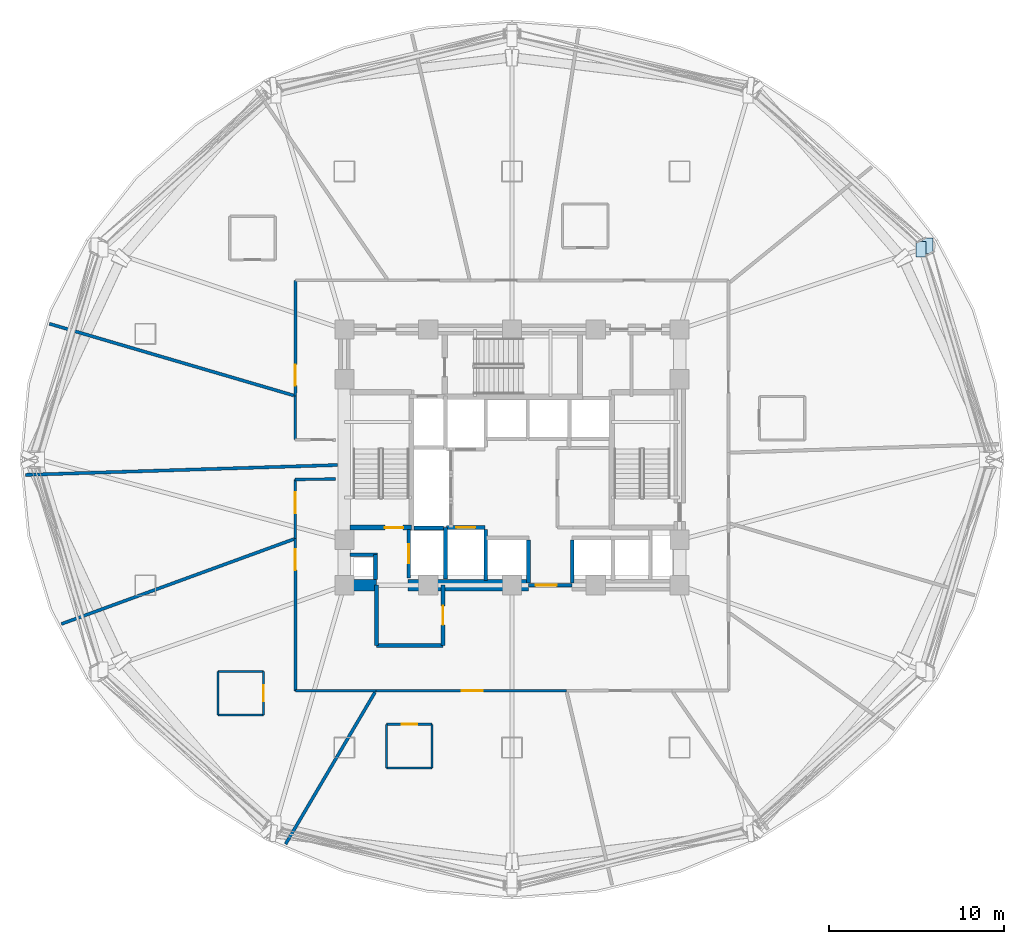
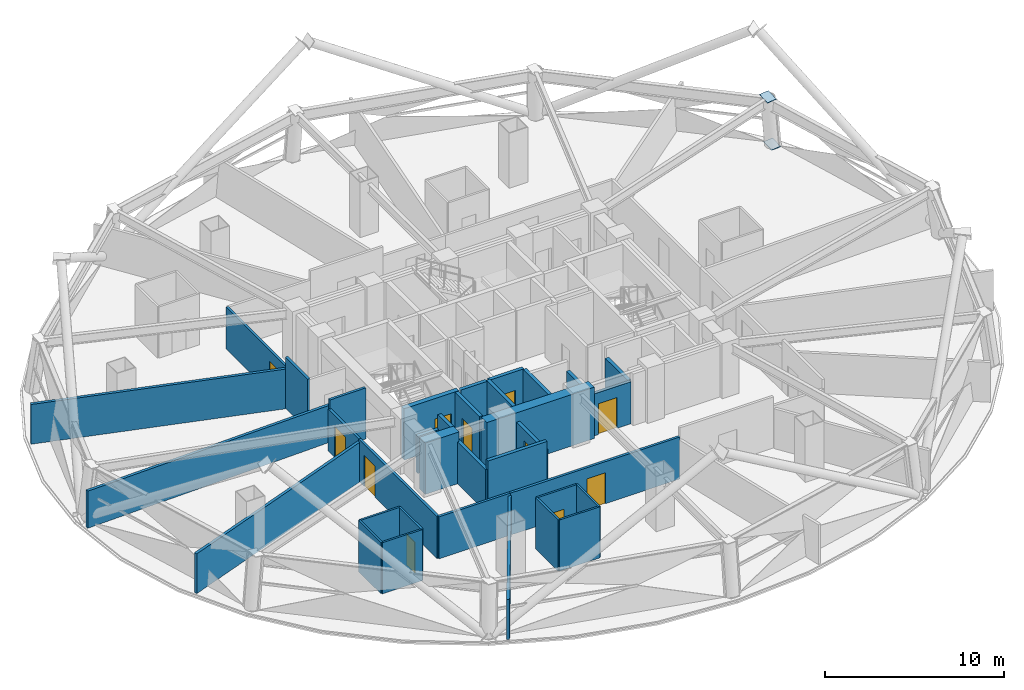
# One storey, part 5 of 13: 35 walls, 11 doors, 2 plates, 11 openings.
"""IFC4 building model written with IfcOpenShell, lengths in metres."""

from ifc_helpers import new_model, si_unit, direction, frame, frame_2d, origin, place, context, subcontext, project, spatial, polyline, rectangle, outline, extrude, material, layer, layer_set, type_object, element, fill, save


model = new_model("IFC4")

# Units and contexts
model_context = context("Model", 3, precision=1e-05, world=origin(), true_north=direction((0.0, 1.0)))
body_context = subcontext(model_context, "Body", "Model", "MODEL_VIEW")
ifc_project = project(units=[si_unit("LENGTHUNIT", "METRE"), si_unit("AREAUNIT", "SQUARE_METRE"), si_unit("VOLUMEUNIT", "CUBIC_METRE"), si_unit("PLANEANGLEUNIT", "RADIAN"), si_unit("MASSUNIT", "GRAM", prefix="KILO")], contexts=[model_context])

# Site, building, storey
site_placement = place(None, origin())
site = spatial("IfcSite", under=ifc_project, at=site_placement, CompositionType="ELEMENT")
building_placement = place(site_placement, origin())
building = spatial("IfcBuilding", under=site, at=building_placement, Name="Vantalir Tower", CompositionType="ELEMENT")
storey_placement = place(building_placement, frame((0.0, 0.0, 87.0)))
storey = spatial("IfcBuildingStorey", under=building, at=storey_placement, Name="L21", CompositionType="ELEMENT", Elevation=87.0)

# Plates
ifc_material_1 = material(Name="Steel S460", Category="steel")
ifc_layer_1 = layer(ifc_material_1, 0.035888671875)
ifc_layer_set_1 = layer_set([ifc_layer_1], Name="Steel S460")
plate_type = type_object("IfcPlateType", Name="PLT-KN-Z2", PredefinedType="USERDEFINED", material=ifc_layer_set_1)
plate_1_placement = place(storey_placement, frame((54.634765625, 37.485595703125, 3.52099609375), z_axis=(-0.110678882562, -0.056930902338, 0.992224297885), x_axis=(-1.5231604e-05, -0.998357892998, -0.057284528954)))
element("IfcPlate", 1, at=plate_1_placement, inside=storey, type_object=plate_type, Name="L21 Ring Column Top Cap RC02", ObjectType="FLANGE_PLATE", PredefinedType="USERDEFINED", context=body_context, shape_type="SweptSolid", body=[
    extrude(outline(polyline([(0.0, 0.0), (0.8801142466776555, 0.0), (0.8800833813124009, 0.5799927690631538), (-1.6879884552844625e-05, 0.5799657924350177), (0.0, 0.0)])), origin(), (0.0, 0.0, -1.0), 0.035888671875),
])
plate_2_placement = place(storey_placement, frame((55.02197265625, 37.68505859375, 0.0458984375), z_axis=(-0.110471317978, -0.057085430793, 0.9922385507), x_axis=(0.0, -0.998349133719, -0.057436984625)))
element("IfcPlate", 2, at=plate_2_placement, inside=storey, type_object=plate_type, Name="L21 Ring Column Base Cap RC02", ObjectType="FLANGE_PLATE", PredefinedType="USERDEFINED", context=body_context, shape_type="SweptSolid", body=[
    extrude(outline(polyline([(0.0, 0.0), (0.8798705173188023, 8.673617379884035e-19), (0.8798526332939248, 0.5799658050525033), (-1.788402487749429e-05, 0.5799658050525033), (0.0, 0.0)])), origin(), (0.0, 0.0, -1.0), 0.035888671875),
])

# Walls
ifc_material_2 = material(Name="Moisture-resistant en-suite partition", Category="gypsum")
ifc_layer_2 = layer(ifc_material_2, 0.125)
ifc_layer_set_2 = layer_set([ifc_layer_2], Name="Moisture-resistant en-suite partition")
wall_type_1 = type_object("IfcWallType", Name="WL-BATH-125", PredefinedType="PARTITIONING", material=ifc_layer_set_2)
for number, where, z_axis, x_axis, name in (
    (3, (14.6669921875, 10.364013671875, 0.0), (0.0, 0.0, 1.0), (1.0, 0.0, 0.0), "L21 En-suite 08 South Wall"),
    (4, (14.6669921875, 12.864013671875, 0.0), (0.0, 0.0, 1.0), (1.0, 0.0, 0.0), "L21 En-suite 08 North Wall"),
):
    element("IfcWall", number, at=place(storey_placement, frame(where, z_axis=z_axis, x_axis=x_axis)), inside=storey, type_object=wall_type_1, Name=name, PredefinedType="PARTITIONING", context=body_context, shape_type="SweptSolid", body=[
        extrude(rectangle(XDim=2.60009765625, YDim=0.125, at=frame_2d((1.300048828125, 0.0))), origin(), (0.0, 0.0, 1.0), 3.47998046875),
    ])
wall_1_placement = place(storey_placement, frame((14.6669921875, 10.364013671875, 0.0), z_axis=(0.0, 0.0, 1.0), x_axis=(0.0, 1.0, 0.0)))
element("IfcWall", 5, at=wall_1_placement, inside=storey, type_object=wall_type_1, Name="L21 En-suite 08 West Wall", PredefinedType="PARTITIONING", context=body_context, shape_type="SweptSolid", body=[
    extrude(rectangle(XDim=2.5, YDim=0.125, at=frame_2d((1.25, 0.0))), origin(), (0.0, 0.0, 1.0), 3.47998046875),
])

# Wall, opening, door
wall_2_placement = place(storey_placement, frame((17.26708984375, 10.364013671875, 0.0), z_axis=(0.0, 0.0, 1.0), x_axis=(0.0, 1.0, 0.0)))
wall_2 = element("IfcWall", 6, at=wall_2_placement, inside=storey, type_object=wall_type_1, Name="L21 En-suite 08 East Wall", PredefinedType="PARTITIONING", context=body_context, shape_type="SweptSolid", body=[
    extrude(rectangle(XDim=2.5, YDim=0.125, at=frame_2d((1.25, 0.0))), origin(), (0.0, 0.0, 1.0), 3.47998046875),
])
opening_1_placement = place(wall_2_placement, frame((0.800048828125, 0.0, 0.0)))
opening_1 = element("IfcOpeningElement", 7, at=opening_1_placement, cuts=wall_2, Name="Opening D-WC", PredefinedType="OPENING", context=body_context, shape_type="SweptSolid", body=[
    extrude(rectangle(XDim=0.89990234375, YDim=2.10009765625, at=frame_2d((0.449951171875, 1.050048828125))), frame((0.0, 0.072509765625, 0.0), z_axis=(0.0, -1.0, 0.0), x_axis=(1.0, 0.0, 0.0)), (0.0, 0.0, 1.0), 0.14501953125),
])
ifc_material_3 = material(Name="Moisture-resistant hardwood door", Category="wood")
door_type_1 = type_object("IfcDoorType", Name="DR-ENSUITE-900", OperationType="NOTDEFINED", PredefinedType="DOOR", material=ifc_material_3)
door_1_placement = place(opening_1_placement, origin())
door_1 = element("IfcDoor", 8, at=door_1_placement, inside=storey, type_object=door_type_1, Name="L21 En-suite 08 Door", OperationType="SINGLE_SWING_RIGHT", OverallHeight=2.10009765625, OverallWidth=0.89990234375, PredefinedType="DOOR", context=body_context, shape_type="SweptSolid", body=[
    extrude(rectangle(XDim=0.89990234375, YDim=2.10009765625, at=frame_2d((0.449951171875, 1.050048828125))), frame((0.0, 0.02490234375, 0.0), z_axis=(0.0, -1.0, 0.0), x_axis=(1.0, 0.0, 0.0)), (0.0, 0.0, 1.0), 0.050048828125),
])
fill(opening_1, door_1)

# Wall
wall_3_placement = place(storey_placement, frame((24.322021484375, 7.337890625, 0.0), z_axis=(0.0, 0.0, 1.0), x_axis=(1.0, 0.0, 0.0)))
element("IfcWall", 9, at=wall_3_placement, inside=storey, type_object=wall_type_1, Name="L21 En-suite 09 South Wall", PredefinedType="PARTITIONING", context=body_context, shape_type="SweptSolid", body=[
    extrude(rectangle(XDim=2.60009765625, YDim=0.125, at=frame_2d((1.300048828125, 0.0))), origin(), (0.0, 0.0, 1.0), 3.47998046875),
])

# Wall, opening, door
wall_4_placement = place(storey_placement, frame((24.322021484375, 9.837890625, 0.0), z_axis=(0.0, 0.0, 1.0), x_axis=(1.0, 0.0, 0.0)))
wall_4 = element("IfcWall", 10, at=wall_4_placement, inside=storey, type_object=wall_type_1, Name="L21 En-suite 09 North Wall", PredefinedType="PARTITIONING", context=body_context, shape_type="SweptSolid", body=[
    extrude(rectangle(XDim=2.60009765625, YDim=0.125, at=frame_2d((1.300048828125, 0.0))), origin(), (0.0, 0.0, 1.0), 3.47998046875),
])
opening_2_placement = place(wall_4_placement, frame((0.85009765625, 0.0, 0.0)))
opening_2 = element("IfcOpeningElement", 11, at=opening_2_placement, cuts=wall_4, Name="Opening D-WC", PredefinedType="OPENING", context=body_context, shape_type="SweptSolid", body=[
    extrude(rectangle(XDim=0.89990234375, YDim=2.10009765625, at=frame_2d((0.449951171875, 1.050048828125))), frame((0.0, 0.072509765625, 0.0), z_axis=(0.0, -1.0, 0.0), x_axis=(1.0, 0.0, 0.0)), (0.0, 0.0, 1.0), 0.14501953125),
])
door_2_placement = place(opening_2_placement, frame((0.89990234375, 0.0, 0.0), z_axis=(0.0, 0.0, 1.0), x_axis=(-1.0, 0.0, 0.0)))
door_2 = element("IfcDoor", 12, at=door_2_placement, inside=storey, type_object=door_type_1, Name="L21 En-suite 09 Door", OperationType="SINGLE_SWING_LEFT", OverallHeight=2.10009765625, OverallWidth=0.89990234375, PredefinedType="DOOR", context=body_context, shape_type="SweptSolid", body=[
    extrude(rectangle(XDim=0.89990234375, YDim=2.10009765625, at=frame_2d((0.449951171875, 1.050048828125))), frame((0.0, 0.02490234375, 0.0), z_axis=(0.0, -1.0, 0.0), x_axis=(1.0, 0.0, 0.0)), (0.0, 0.0, 1.0), 0.050048828125),
])
fill(opening_2, door_2)

# Walls
for number, where, z_axis, x_axis, name in (
    (13, (24.322021484375, 7.337890625, 0.0), (0.0, 0.0, 1.0), (0.0, 1.0, 0.0), "L21 En-suite 09 West Wall"),
    (14, (26.922119140625, 7.337890625, 0.0), (0.0, 0.0, 1.0), (0.0, 1.0, 0.0), "L21 En-suite 09 East Wall"),
):
    element("IfcWall", number, at=place(storey_placement, frame(where, z_axis=z_axis, x_axis=x_axis)), inside=storey, type_object=wall_type_1, Name=name, PredefinedType="PARTITIONING", context=body_context, shape_type="SweptSolid", body=[
        extrude(rectangle(XDim=2.5, YDim=0.125, at=frame_2d((1.25, 0.0))), origin(), (0.0, 0.0, 1.0), 3.47998046875),
    ])
ifc_material_4 = material(Name="Concrete C60/75", Category="concrete")
ifc_layer_3 = layer(ifc_material_4, 0.64990234375)
ifc_layer_set_3 = layer_set([ifc_layer_3], Name="Concrete C60/75")
wall_type_2 = type_object("IfcWallType", Name="WL-CORE-650", PredefinedType="SHEAR", material=ifc_layer_set_3)
wall_5_placement = place(storey_placement, frame((21.574951171875, 17.800048828125, 0.0), z_axis=(0.0, 0.0, 1.0), x_axis=(1.0, 0.0, 0.0)))
element("IfcWall", 15, at=wall_5_placement, inside=storey, type_object=wall_type_2, Name="L21 Core Shear Wall South-West", PredefinedType="SHEAR", context=body_context, shape_type="SweptSolid", body=[
    extrude(rectangle(XDim=2.175048828125, YDim=0.64990234375, at=frame_2d((1.08740234375, 0.0))), origin(), (0.0, 0.0, 1.0), 3.5),
])
wall_6_placement = place(storey_placement, frame((25.550048828125, 17.800048828125, 0.0), z_axis=(0.0, 0.0, 1.0), x_axis=(1.0, 0.0, 0.0)))
element("IfcWall", 16, at=wall_6_placement, inside=storey, type_object=wall_type_2, Name="L21 Core Shear Wall South-Mid", PredefinedType="SHEAR", context=body_context, shape_type="SweptSolid", body=[
    extrude(rectangle(XDim=6.89990234375, YDim=0.64990234375, at=frame_2d((3.449951171875, 0.0))), origin(), (0.0, 0.0, 1.0), 3.5),
])
ifc_material_5 = material(Name="Fire-rated hotel corridor acoustic partition", Category="gypsum")
ifc_layer_4 = layer(ifc_material_5, 0.159912109375)
ifc_layer_set_4 = layer_set([ifc_layer_4], Name="Fire-rated hotel corridor acoustic partition")
wall_type_3 = type_object("IfcWallType", Name="WL-CORR-160", PredefinedType="PARTITIONING", material=ifc_layer_set_4)
wall_7_placement = place(storey_placement, frame((19.0869140625, 26.137939453125, 0.0), z_axis=(0.0, 0.0, 1.0), x_axis=(0.00243830349, 0.999997027334, 0.0)))
element("IfcWall", 17, at=wall_7_placement, inside=storey, type_object=wall_type_3, Name="L21 Corridor Partition 02", PredefinedType="PARTITIONING", context=body_context, shape_type="SweptSolid", body=[
    extrude(rectangle(XDim=2.503173828125, YDim=0.159912109375, at=frame_2d((1.25146484375, 0.0))), origin(), (0.0, 0.0, 1.0), 3.47998046875),
])

# Wall, opening, door
wall_8_placement = place(storey_placement, frame((19.093017578125, 28.64111328125, 0.0), z_axis=(0.0, 0.0, 1.0), x_axis=(0.002581207523, 0.999996668678, 0.0)))
wall_8 = element("IfcWall", 18, at=wall_8_placement, inside=storey, type_object=wall_type_3, Name="L21 Corridor Partition 03", PredefinedType="PARTITIONING", context=body_context, shape_type="SweptSolid", body=[
    extrude(rectangle(XDim=6.620849609375, YDim=0.159912109375, at=frame_2d((3.310546875, 0.0))), origin(), (0.0, 0.0, 1.0), 2.85791015625),
])
opening_3_placement = place(wall_8_placement, frame((0.596923828125, 0.0, 0.0)))
opening_3 = element("IfcOpeningElement", 19, at=opening_3_placement, cuts=wall_8, Name="Opening D-STE", PredefinedType="OPENING", context=body_context, shape_type="SweptSolid", body=[
    extrude(rectangle(XDim=1.199951171875, YDim=2.10009765625, at=frame_2d((0.60009765625, 1.050048828125))), frame((0.0, 0.08984375, 0.0), z_axis=(0.0, -1.0, 0.0), x_axis=(1.0, 0.0, 0.0)), (0.0, 0.0, 1.0), 0.179931640625),
])
ifc_material_6 = material(Name="Solid-core teak veneer suite entrance door", Category="wood")
door_type_2 = type_object("IfcDoorType", Name="DR-SUITE-ENTRY-1200", OperationType="NOTDEFINED", PredefinedType="DOOR", material=ifc_material_6)
door_3_placement = place(opening_3_placement, origin())
door_3 = element("IfcDoor", 20, at=door_3_placement, inside=storey, type_object=door_type_2, Name="L21 Executive Club Hotel Suite 05 Door", OperationType="SINGLE_SWING_LEFT", OverallHeight=2.10009765625, OverallWidth=1.199951171875, PredefinedType="DOOR", context=body_context, shape_type="SweptSolid", body=[
    extrude(rectangle(XDim=1.199951171875, YDim=2.10009765625, at=frame_2d((0.60009765625, 1.050048828125))), frame((0.0, 0.02490234375, 0.0), z_axis=(0.0, -1.0, 0.0), x_axis=(1.0, 0.0, 0.0)), (0.0, 0.0, 1.0), 0.050048828125),
])
fill(opening_3, door_3)

wall_9_placement = place(storey_placement, frame((34.614990234375, 11.763916015625, 0.0), z_axis=(0.0, 0.0, 1.0), x_axis=(-0.999999899846, -0.00044755741, 0.0)))
wall_9 = element("IfcWall", 21, at=wall_9_placement, inside=storey, type_object=wall_type_3, Name="L21 Corridor Partition 14", PredefinedType="PARTITIONING", context=body_context, shape_type="SweptSolid", body=[
    extrude(rectangle(XDim=10.909912109375, YDim=0.159912109375, at=frame_2d((5.455078125, 0.0))), origin(), (0.0, 0.0, 1.0), 2.85791015625),
])
opening_4_placement = place(wall_9_placement, frame((4.780029296875, 0.0, 0.0)))
opening_4 = element("IfcOpeningElement", 22, at=opening_4_placement, cuts=wall_9, Name="Opening D-STE", PredefinedType="OPENING", context=body_context, shape_type="SweptSolid", body=[
    extrude(rectangle(XDim=1.199951171875, YDim=2.10009765625, at=frame_2d((0.60009765625, 1.050048828125))), frame((0.0, 0.08984375, 0.0), z_axis=(0.0, -1.0, 0.0), x_axis=(1.0, 0.0, 0.0)), (0.0, 0.0, 1.0), 0.179931640625),
])
door_4_placement = place(opening_4_placement, origin())
door_4 = element("IfcDoor", 23, at=door_4_placement, inside=storey, type_object=door_type_2, Name="L21 Corner Panorama Hotel Suite 09 Door", OperationType="SINGLE_SWING_LEFT", OverallHeight=2.10009765625, OverallWidth=1.199951171875, PredefinedType="DOOR", context=body_context, shape_type="SweptSolid", body=[
    extrude(rectangle(XDim=1.199951171875, YDim=2.10009765625, at=frame_2d((0.60009765625, 1.050048828125))), frame((0.0, 0.02490234375, 0.0), z_axis=(0.0, -1.0, 0.0), x_axis=(1.0, 0.0, 0.0)), (0.0, 0.0, 1.0), 0.050048828125),
])
fill(opening_4, door_4)

# Wall
wall_10_placement = place(storey_placement, frame((23.705078125, 11.759033203125, 0.0), z_axis=(0.0, 0.0, 1.0), x_axis=(-0.999999909941, -0.000424403145, 0.0)))
element("IfcWall", 24, at=wall_10_placement, inside=storey, type_object=wall_type_3, Name="L21 Corridor Partition 15", PredefinedType="PARTITIONING", context=body_context, shape_type="SweptSolid", body=[
    extrude(rectangle(XDim=4.60205078125, YDim=0.159912109375, at=frame_2d((2.301025390625, 0.0))), origin(), (0.0, 0.0, 1.0), 2.85791015625),
])

# Wall, opening, door
wall_11_placement = place(storey_placement, frame((19.10302734375, 11.757080078125, 0.0), z_axis=(0.0, 0.0, 1.0), x_axis=(-0.001372855369, 0.999999057634, 0.0)))
wall_11 = element("IfcWall", 25, at=wall_11_placement, inside=storey, type_object=wall_type_3, Name="L21 Corridor Partition 16", PredefinedType="PARTITIONING", context=body_context, shape_type="SweptSolid", body=[
    extrude(rectangle(XDim=8.7138671875, YDim=0.159912109375, at=frame_2d((4.35693359375, 0.0))), origin(), (0.0, 0.0, 1.0), 2.85791015625),
])
opening_5_placement = place(wall_11_placement, frame((6.904052734375, 0.0, 0.0)))
opening_5 = element("IfcOpeningElement", 26, at=opening_5_placement, cuts=wall_11, Name="Opening D-STE", PredefinedType="OPENING", context=body_context, shape_type="SweptSolid", body=[
    extrude(rectangle(XDim=1.199951171875, YDim=2.10009765625, at=frame_2d((0.60009765625, 1.050048828125))), frame((0.0, 0.08984375, 0.0), z_axis=(0.0, -1.0, 0.0), x_axis=(1.0, 0.0, 0.0)), (0.0, 0.0, 1.0), 0.179931640625),
])
door_5_placement = place(opening_5_placement, origin())
door_5 = element("IfcDoor", 27, at=door_5_placement, inside=storey, type_object=door_type_2, Name="L21 Executive Club Hotel Suite 08 Door", OperationType="SINGLE_SWING_RIGHT", OverallHeight=2.10009765625, OverallWidth=1.199951171875, PredefinedType="DOOR", context=body_context, shape_type="SweptSolid", body=[
    extrude(rectangle(XDim=1.199951171875, YDim=2.10009765625, at=frame_2d((0.60009765625, 1.050048828125))), frame((0.0, 0.02490234375, 0.0), z_axis=(0.0, -1.0, 0.0), x_axis=(1.0, 0.0, 0.0)), (0.0, 0.0, 1.0), 0.050048828125),
])
fill(opening_5, door_5)

wall_12_placement = place(storey_placement, frame((19.091064453125, 20.470947265625, 0.0), z_axis=(0.0, 0.0, 1.0), x_axis=(-0.001513729975, 0.99999885431, 0.0)))
wall_12 = element("IfcWall", 28, at=wall_12_placement, inside=storey, type_object=wall_type_3, Name="L21 Corridor Partition 17", PredefinedType="PARTITIONING", context=body_context, shape_type="SweptSolid", body=[
    extrude(rectangle(XDim=3.386962890625, YDim=0.159912109375, at=frame_2d((1.693359375, 0.0))), origin(), (0.0, 0.0, 1.0), 2.85791015625),
])
opening_6_placement = place(wall_12_placement, frame((1.452880859375, 0.0, 0.0)))
opening_6 = element("IfcOpeningElement", 29, at=opening_6_placement, cuts=wall_12, Name="Opening D-STE", PredefinedType="OPENING", context=body_context, shape_type="SweptSolid", body=[
    extrude(rectangle(XDim=1.199951171875, YDim=2.10009765625, at=frame_2d((0.60009765625, 1.050048828125))), frame((0.0, 0.08984375, 0.0), z_axis=(0.0, -1.0, 0.0), x_axis=(1.0, 0.0, 0.0)), (0.0, 0.0, 1.0), 0.179931640625),
])
door_6_placement = place(opening_6_placement, origin())
door_6 = element("IfcDoor", 30, at=door_6_placement, inside=storey, type_object=door_type_2, Name="L21 Executive Sky Boardroom 07 Door", OperationType="SINGLE_SWING_LEFT", OverallHeight=2.10009765625, OverallWidth=1.199951171875, PredefinedType="DOOR", context=body_context, shape_type="SweptSolid", body=[
    extrude(rectangle(XDim=1.199951171875, YDim=2.10009765625, at=frame_2d((0.60009765625, 1.050048828125))), frame((0.0, 0.02490234375, 0.0), z_axis=(0.0, -1.0, 0.0), x_axis=(1.0, 0.0, 0.0)), (0.0, 0.0, 1.0), 0.050048828125),
])
fill(opening_6, door_6)

# Walls
wall_13_placement = place(storey_placement, frame((19.0859375, 23.85791015625, 0.0), z_axis=(0.0, 0.0, 1.0), x_axis=(0.999940706484, 0.010889605918, 0.0)))
element("IfcWall", 31, at=wall_13_placement, inside=storey, type_object=wall_type_3, Name="L21 Corridor Partition 18", PredefinedType="PARTITIONING", context=body_context, shape_type="SweptSolid", body=[
    extrude(rectangle(XDim=2.309326171875, YDim=0.159912109375, at=frame_2d((1.15478515625, 0.0))), origin(), (0.0, 0.0, 1.0), 3.47998046875),
])
ifc_material_7 = material(Name="Concrete blockwork with fireboard lining", Category="masonry")
ifc_layer_5 = layer(ifc_material_7, 0.219970703125)
ifc_layer_set_5 = layer_set([ifc_layer_5], Name="Concrete blockwork with fireboard lining")
wall_type_4 = type_object("IfcWallType", Name="WL-FFL-220", PredefinedType="PARTITIONING", material=ifc_layer_set_5)
wall_14_placement = place(storey_placement, frame((30.0, 18.080078125, 0.0), z_axis=(0.0, 0.0, 1.0), x_axis=(0.0, 1.0, 0.0)))
element("IfcWall", 32, at=wall_14_placement, inside=storey, type_object=wall_type_4, Name="L21 Service Lift SV1 East Shaft Wall", PredefinedType="PARTITIONING", context=body_context, shape_type="SweptSolid", body=[
    extrude(rectangle(XDim=2.89990234375, YDim=0.219970703125, at=frame_2d((1.449951171875, 0.0))), origin(), (0.0, 0.0, 1.0), 3.47509765625),
])
for number, where, z_axis, x_axis, name in (
    (33, (32.449951171875, 17.919921875, 0.0), (0.0, 0.0, 1.0), (0.0, 1.0, 0.0), "L21 Shuttle Lift PL-X1 East Shaft Cheek"),
    (34, (34.949951171875, 17.919921875, 0.0), (0.0, 0.0, 1.0), (0.0, 1.0, 0.0), "L21 Shuttle Lift PL-X3 West Shaft Cheek"),
):
    element("IfcWall", number, at=place(storey_placement, frame(where, z_axis=z_axis, x_axis=x_axis)), inside=storey, type_object=wall_type_4, Name=name, PredefinedType="PARTITIONING", context=body_context, shape_type="SweptSolid", body=[
        extrude(rectangle(XDim=2.469970703125, YDim=0.219970703125, at=frame_2d((1.23486328125, 0.0))), origin(), (0.0, 0.0, 1.0), 2.85791015625),
    ])

# Wall, opening, door
wall_15_placement = place(storey_placement, frame((32.449951171875, 17.800048828125, 0.0), z_axis=(0.0, 0.0, 1.0), x_axis=(1.0, 0.0, 0.0)))
wall_15 = element("IfcWall", 35, at=wall_15_placement, inside=storey, type_object=wall_type_4, Name="L21 Passenger Lift Lobby South Wall", PredefinedType="PARTITIONING", context=body_context, shape_type="SweptSolid", body=[
    extrude(rectangle(XDim=2.5, YDim=0.219970703125, at=frame_2d((1.25, 0.0))), origin(), (0.0, 0.0, 1.0), 2.85791015625),
])
opening_7_placement = place(wall_15_placement, frame((0.39990234375, 0.0, 0.0)))
opening_7 = element("IfcOpeningElement", 36, at=opening_7_placement, cuts=wall_15, Name="Opening D-STE", PredefinedType="OPENING", context=body_context, shape_type="SweptSolid", body=[
    extrude(rectangle(XDim=1.199951171875, YDim=2.10009765625, at=frame_2d((0.60009765625, 1.050048828125))), frame((0.0, 0.119873046875, 0.0), z_axis=(0.0, -1.0, 0.0), x_axis=(1.0, 0.0, 0.0)), (0.0, 0.0, 1.0), 0.239990234375),
])
door_7_placement = place(opening_7_placement, origin())
door_7 = element("IfcDoor", 37, at=door_7_placement, inside=storey, type_object=door_type_2, Name="L21 Passenger Lift Lobby Concourse Door", OperationType="SINGLE_SWING_RIGHT", OverallHeight=2.10009765625, OverallWidth=1.199951171875, PredefinedType="DOOR", context=body_context, shape_type="SweptSolid", body=[
    extrude(rectangle(XDim=1.199951171875, YDim=2.10009765625, at=frame_2d((0.60009765625, 1.050048828125))), frame((0.0, 0.02490234375, 0.0), z_axis=(0.0, -1.0, 0.0), x_axis=(1.0, 0.0, 0.0)), (0.0, 0.0, 1.0), 0.050048828125),
])
fill(opening_7, door_7)

# Walls
wall_16_placement = place(storey_placement, frame((23.679931640625, 18.125, 0.0), z_axis=(0.0, 0.0, 1.0), x_axis=(0.0, 1.0, 0.0)))
element("IfcWall", 38, at=wall_16_placement, inside=storey, type_object=wall_type_4, Name="L21 West MEP Riser Wall E", PredefinedType="PARTITIONING", context=body_context, shape_type="SweptSolid", body=[
    extrude(rectangle(XDim=1.425048828125, YDim=0.219970703125, at=frame_2d((0.71240234375, 0.0))), origin(), (0.0, 0.0, 1.0), 3.47998046875),
])
wall_17_placement = place(storey_placement, frame((22.22509765625, 19.550048828125, 0.0), z_axis=(0.0, 0.0, 1.0), x_axis=(1.0, 0.0, 0.0)))
element("IfcWall", 39, at=wall_17_placement, inside=storey, type_object=wall_type_4, Name="L21 West MEP Riser Wall N", PredefinedType="PARTITIONING", context=body_context, shape_type="SweptSolid", body=[
    extrude(rectangle(XDim=1.56494140625, YDim=0.219970703125, at=frame_2d((0.782470703125, 0.0))), origin(), (0.0, 0.0, 1.0), 2.52490234375),
])

# Wall, opening, door
wall_18_placement = place(storey_placement, frame((25.590087890625, 18.219970703125, 0.0), z_axis=(0.0, 0.0, 1.0), x_axis=(0.0, 1.0, 0.0)))
wall_18 = element("IfcWall", 40, at=wall_18_placement, inside=storey, type_object=wall_type_4, Name="L21 Lift FL1 Shaft Front Wall", PredefinedType="PARTITIONING", context=body_context, shape_type="SweptSolid", body=[
    extrude(rectangle(XDim=2.760009765625, YDim=0.219970703125, at=frame_2d((1.3798828125, 0.0))), origin(), (0.0, 0.0, 1.0), 3.47998046875),
])
opening_8_placement = place(wall_18_placement, frame((0.830078125, 0.0, 0.0)))
opening_8 = element("IfcOpeningElement", 41, at=opening_8_placement, cuts=wall_18, Name="Opening LD-FL1", PredefinedType="OPENING", context=body_context, shape_type="SweptSolid", body=[
    extrude(rectangle(XDim=1.10009765625, YDim=2.199951171875, at=frame_2d((0.550048828125, 1.10009765625))), frame((0.0, 0.119873046875, 0.0), z_axis=(0.0, -1.0, 0.0), x_axis=(1.0, 0.0, 0.0)), (0.0, 0.0, 1.0), 0.239990234375),
])
ifc_material_8 = material(Name="Brushed stainless-steel sliding lift landing door", Category="steel")
door_type_3 = type_object("IfcDoorType", Name="DR-LIFT-LANDING-1100", OperationType="DOUBLE_DOOR_SLIDING", PredefinedType="DOOR", material=ifc_material_8)
door_8_placement = place(opening_8_placement, origin())
door_8 = element("IfcDoor", 42, at=door_8_placement, inside=storey, type_object=door_type_3, Name="L21 Lift Landing Door FL1", OperationType="DOUBLE_DOOR_SLIDING", OverallHeight=2.199951171875, OverallWidth=1.10009765625, PredefinedType="DOOR", context=body_context, shape_type="SweptSolid", body=[
    extrude(rectangle(XDim=1.10009765625, YDim=2.199951171875, at=frame_2d((0.550048828125, 1.10009765625))), frame((0.0, 0.02490234375, 0.0), z_axis=(0.0, -1.0, 0.0), x_axis=(1.0, 0.0, 0.0)), (0.0, 0.0, 1.0), 0.050048828125),
])
fill(opening_8, door_8)

wall_19_placement = place(storey_placement, frame((27.739990234375, 21.110107421875, 0.0), z_axis=(0.0, 0.0, 1.0), x_axis=(1.0, 0.0, 0.0)))
wall_19 = element("IfcWall", 43, at=wall_19_placement, inside=storey, type_object=wall_type_4, Name="L21 Lift SV1 Shaft Front Wall", PredefinedType="PARTITIONING", context=body_context, shape_type="SweptSolid", body=[
    extrude(rectangle(XDim=2.219970703125, YDim=0.219970703125, at=frame_2d((1.10986328125, 0.0))), origin(), (0.0, 0.0, 1.0), 3.47998046875),
])
opening_9_placement = place(wall_19_placement, frame((0.56005859375, 0.0, 0.0)))
opening_9 = element("IfcOpeningElement", 44, at=opening_9_placement, cuts=wall_19, Name="Opening LD-SV1", PredefinedType="OPENING", context=body_context, shape_type="SweptSolid", body=[
    extrude(rectangle(XDim=1.10009765625, YDim=2.199951171875, at=frame_2d((0.550048828125, 1.10009765625))), frame((0.0, 0.119873046875, 0.0), z_axis=(0.0, -1.0, 0.0), x_axis=(1.0, 0.0, 0.0)), (0.0, 0.0, 1.0), 0.239990234375),
])
door_9_placement = place(opening_9_placement, origin())
door_9 = element("IfcDoor", 45, at=door_9_placement, inside=storey, type_object=door_type_3, Name="L21 Lift Landing Door SV1", OperationType="DOUBLE_DOOR_SLIDING", OverallHeight=2.199951171875, OverallWidth=1.10009765625, PredefinedType="DOOR", context=body_context, shape_type="SweptSolid", body=[
    extrude(rectangle(XDim=1.10009765625, YDim=2.199951171875, at=frame_2d((0.550048828125, 1.10009765625))), frame((0.0, 0.02490234375, 0.0), z_axis=(0.0, -1.0, 0.0), x_axis=(1.0, 0.0, 0.0)), (0.0, 0.0, 1.0), 0.050048828125),
])
fill(opening_9, door_9)

# Walls
wall_20_placement = place(storey_placement, frame((27.699951171875, 18.14990234375, 0.0), z_axis=(0.0, 0.0, 1.0), x_axis=(0.0, 1.0, 0.0)))
element("IfcWall", 46, at=wall_20_placement, inside=storey, type_object=wall_type_4, Name="L21 Fire Lift FL1 Dividing Wall", PredefinedType="PARTITIONING", context=body_context, shape_type="SweptSolid", body=[
    extrude(rectangle(XDim=2.9501953125, YDim=0.219970703125, at=frame_2d((1.47509765625, 0.0))), origin(), (0.0, 0.0, 1.0), 3.47998046875),
])
wall_21_placement = place(storey_placement, frame((25.8798828125, 21.080078125, 0.0), z_axis=(0.0, 0.0, 1.0), x_axis=(1.0, 0.0, 0.0)))
element("IfcWall", 47, at=wall_21_placement, inside=storey, type_object=wall_type_4, Name="L21 Low-Rise Bank South Wall", PredefinedType="PARTITIONING", context=body_context, shape_type="SweptSolid", body=[
    extrude(rectangle(XDim=1.7001953125, YDim=0.219970703125, at=frame_2d((0.85009765625, 0.0))), origin(), (0.0, 0.0, 1.0), 3.47998046875),
])
wall_22_placement = place(storey_placement, frame((23.75, 14.35009765625, 0.0), z_axis=(0.0, 0.0, 1.0), x_axis=(0.0, 1.0, 0.0)))
element("IfcWall", 48, at=wall_22_placement, inside=storey, type_object=wall_type_4, Name="L21 Firefighting Lobby West Outer W", PredefinedType="PARTITIONING", context=body_context, shape_type="SweptSolid", body=[
    extrude(rectangle(XDim=3.449951171875, YDim=0.219970703125, at=frame_2d((1.72509765625, 0.0))), origin(), (0.0, 0.0, 1.0), 2.85791015625),
])
wall_23_placement = place(storey_placement, frame((23.75, 14.35009765625, 0.0), z_axis=(0.0, 0.0, 1.0), x_axis=(1.0, 0.0, 0.0)))
element("IfcWall", 49, at=wall_23_placement, inside=storey, type_object=wall_type_4, Name="L21 Firefighting Lobby West South Wall", PredefinedType="PARTITIONING", context=body_context, shape_type="SweptSolid", body=[
    extrude(rectangle(XDim=3.800048828125, YDim=0.219970703125, at=frame_2d((1.89990234375, 0.0))), origin(), (0.0, 0.0, 1.0), 3.47998046875),
])

# Wall, opening, door
wall_24_placement = place(storey_placement, frame((27.550048828125, 14.35009765625, 0.0), z_axis=(0.0, 0.0, 1.0), x_axis=(0.0, 1.0, 0.0)))
wall_24 = element("IfcWall", 50, at=wall_24_placement, inside=storey, type_object=wall_type_4, Name="L21 Firefighting Lobby West East Wall", PredefinedType="PARTITIONING", context=body_context, shape_type="SweptSolid", body=[
    extrude(rectangle(XDim=3.449951171875, YDim=0.219970703125, at=frame_2d((1.72509765625, 0.0))), origin(), (0.0, 0.0, 1.0), 2.85791015625),
])
opening_10_placement = place(wall_24_placement, frame((1.175048828125, 0.0, 0.0)))
opening_10 = element("IfcOpeningElement", 51, at=opening_10_placement, cuts=wall_24, Name="Opening D-FFL", PredefinedType="OPENING", context=body_context, shape_type="SweptSolid", body=[
    extrude(rectangle(XDim=1.10009765625, YDim=2.10009765625, at=frame_2d((0.550048828125, 1.050048828125))), frame((0.0, 0.119873046875, 0.0), z_axis=(0.0, -1.0, 0.0), x_axis=(1.0, 0.0, 0.0)), (0.0, 0.0, 1.0), 0.239990234375),
])
ifc_material_9 = material(Name="Fire-rated acoustic steel door", Category="steel")
door_type_4 = type_object("IfcDoorType", Name="DR-FIRE-LOBBY-1100", OperationType="NOTDEFINED", PredefinedType="DOOR", material=ifc_material_9)
door_10_placement = place(opening_10_placement, origin())
door_10 = element("IfcDoor", 52, at=door_10_placement, inside=storey, type_object=door_type_4, Name="L21 Firefighting Lobby West Access Door", OperationType="SINGLE_SWING_RIGHT", OverallHeight=2.10009765625, OverallWidth=1.10009765625, PredefinedType="DOOR", context=body_context, shape_type="SweptSolid", body=[
    extrude(rectangle(XDim=1.10009765625, YDim=2.10009765625, at=frame_2d((0.550048828125, 1.050048828125))), frame((0.0, 0.02490234375, 0.0), z_axis=(0.0, -1.0, 0.0), x_axis=(1.0, 0.0, 0.0)), (0.0, 0.0, 1.0), 0.050048828125),
])
fill(opening_10, door_10)

# Walls
ifc_material_10 = material(Name="Twin-stud acoustic fire-rated gypsum partition", Category="gypsum")
ifc_layer_6 = layer(ifc_material_10, 0.179931640625)
ifc_layer_set_6 = layer_set([ifc_layer_6], Name="Twin-stud acoustic fire-rated gypsum partition")
wall_type_5 = type_object("IfcWallType", Name="WL-GUEST-180", PredefinedType="PARTITIONING", material=ifc_layer_set_6)
wall_25_placement = place(storey_placement, frame((19.010009765625, 28.6650390625, 0.0), z_axis=(0.0, 0.0, 1.0), x_axis=(-0.959533182325, 0.281595582383, 0.0)))
element("IfcWall", 53, at=wall_25_placement, inside=storey, type_object=wall_type_5, Name="L21 Radial Suite Partition 06", PredefinedType="PARTITIONING", context=body_context, shape_type="SweptSolid", body=[
    extrude(rectangle(XDim=14.591552734375, YDim=0.179931640625, at=frame_2d((7.2958984375, 0.0))), origin(), (0.0, 0.0, 1.0), 2.705078125),
])
wall_26_placement = place(storey_placement, frame((21.5, 24.68505859375, 0.0), z_axis=(0.0, 0.0, 1.0), x_axis=(-0.999501988986, -0.031555887143, 0.0)))
element("IfcWall", 54, at=wall_26_placement, inside=storey, type_object=wall_type_5, Name="L21 Radial Suite Partition 07", PredefinedType="PARTITIONING", context=body_context, shape_type="SweptSolid", body=[
    extrude(rectangle(XDim=17.871826171875, YDim=0.179931640625, at=frame_2d((8.93603515625, 0.0))), origin(), (0.0, 0.0, 1.0), 2.52490234375),
])
wall_27_placement = place(storey_placement, frame((19.010009765625, 20.44189453125, 0.0), z_axis=(0.0, 0.0, 1.0), x_axis=(-0.93940347369, -0.342813526015, 0.0)))
element("IfcWall", 55, at=wall_27_placement, inside=storey, type_object=wall_type_5, Name="L21 Radial Suite Partition 08", PredefinedType="PARTITIONING", context=body_context, shape_type="SweptSolid", body=[
    extrude(rectangle(XDim=14.170654296875, YDim=0.179931640625, at=frame_2d((7.08544921875, 0.0))), origin(), (0.0, 0.0, 1.0), 2.705078125),
])
wall_28_placement = place(storey_placement, frame((23.656005859375, 11.675048828125, 0.0), z_axis=(0.0, 0.0, 1.0), x_axis=(-0.507360455352, -0.861733931295, 0.0)))
element("IfcWall", 56, at=wall_28_placement, inside=storey, type_object=wall_type_5, Name="L21 Radial Suite Partition 09", PredefinedType="PARTITIONING", context=body_context, shape_type="SweptSolid", body=[
    extrude(rectangle(XDim=10.093505859375, YDim=0.179931640625, at=frame_2d((5.046875, 0.0))), origin(), (0.0, 0.0, 1.0), 2.705078125),
])

# Wall, opening, door
ifc_material_11 = material(Name="Concrete C50/60", Category="concrete")
ifc_layer_7 = layer(ifc_material_11, 0.300048828125)
ifc_layer_set_7 = layer_set([ifc_layer_7], Name="Concrete C50/60")
wall_type_6 = type_object("IfcWallType", Name="WL-STAIR-300", PredefinedType="SHEAR", material=ifc_layer_set_7)
wall_29_placement = place(storey_placement, frame((22.22509765625, 21.10009765625, 0.0), z_axis=(0.0, 0.0, 1.0), x_axis=(1.0, 0.0, 0.0)))
wall_29 = element("IfcWall", 57, at=wall_29_placement, inside=storey, type_object=wall_type_6, Name="L21 Stair ST1 South Wall", PredefinedType="SHEAR", context=body_context, shape_type="SweptSolid", body=[
    extrude(rectangle(XDim=3.514892578125, YDim=0.300048828125, at=frame_2d((1.75732421875, 0.0))), origin(), (0.0, 0.0, 1.0), 3.5),
])
opening_11_placement = place(wall_29_placement, frame((1.9951171875, 0.0, 0.0)))
opening_11 = element("IfcOpeningElement", 58, at=opening_11_placement, cuts=wall_29, Name="Opening D-ST", PredefinedType="OPENING", context=body_context, shape_type="SweptSolid", body=[
    extrude(rectangle(XDim=1.050048828125, YDim=2.10009765625, at=frame_2d((0.52490234375, 1.050048828125))), frame((0.0, 0.159912109375, 0.0), z_axis=(0.0, -1.0, 0.0), x_axis=(1.0, 0.0, 0.0)), (0.0, 0.0, 1.0), 0.320068359375),
])
ifc_material_12 = material(Name="Fire-rated steel door leaf", Category="steel")
door_type_5 = type_object("IfcDoorType", Name="DR-FIRE-STAIR-1050", OperationType="NOTDEFINED", PredefinedType="DOOR", material=ifc_material_12)
door_11_placement = place(opening_11_placement, origin())
door_11 = element("IfcDoor", 59, at=door_11_placement, inside=storey, type_object=door_type_5, Name="L21 Exit Stair ST1 Fire Door", OperationType="SINGLE_SWING_RIGHT", OverallHeight=2.10009765625, OverallWidth=1.050048828125, PredefinedType="DOOR", context=body_context, shape_type="SweptSolid", body=[
    extrude(rectangle(XDim=1.050048828125, YDim=2.10009765625, at=frame_2d((0.52490234375, 1.050048828125))), frame((0.0, 0.02490234375, 0.0), z_axis=(0.0, -1.0, 0.0), x_axis=(1.0, 0.0, 0.0)), (0.0, 0.0, 1.0), 0.050048828125),
])
fill(opening_11, door_11)

save(model, "model.ifc")
